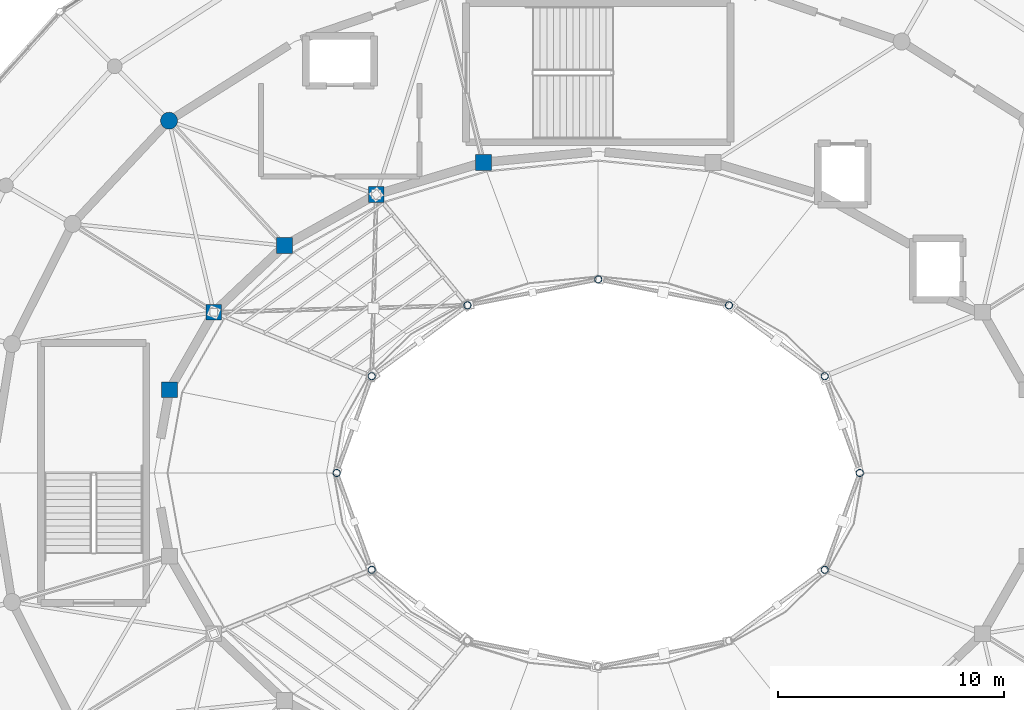
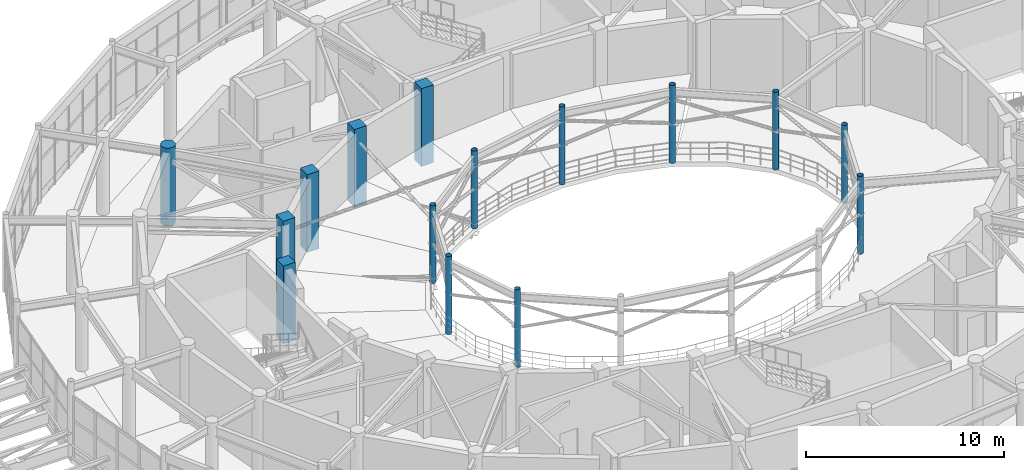
# One storey, part 11 of 144: 15 columns.
"""IFC4 building model written with IfcOpenShell, lengths in metres."""

from ifc_helpers import new_model, si_unit, direction, frame, origin, origin_2d, place, context, subcontext, project, spatial, rectangle, circle, hollow_circle, extrude, material, material_profile, profile_set, type_object, element, save


model = new_model("IFC4")

# Units and contexts
model_context = context("Model", 3, precision=1e-05, world=origin(), true_north=direction((0.0, 1.0)))
body_context = subcontext(model_context, "Body", "Model", "MODEL_VIEW")
ifc_project = project(units=[si_unit("LENGTHUNIT", "METRE"), si_unit("AREAUNIT", "SQUARE_METRE"), si_unit("VOLUMEUNIT", "CUBIC_METRE"), si_unit("PLANEANGLEUNIT", "RADIAN"), si_unit("MASSUNIT", "GRAM", prefix="KILO")], contexts=[model_context])

# Site, building, storey
site_placement = place(None, origin())
site = spatial("IfcSite", under=ifc_project, at=site_placement, CompositionType="ELEMENT")
building_placement = place(site_placement, origin())
building = spatial("IfcBuilding", under=site, at=building_placement, Name="Cinderbank Siding Concert Hall", CompositionType="ELEMENT")
storey_placement = place(building_placement, frame((0.0, 0.0, 5.39990234375)))
storey = spatial("IfcBuildingStorey", under=building, at=storey_placement, Name="L02", CompositionType="ELEMENT", Elevation=5.39990234375)

# Columns
ifc_material_1 = material(Name="Structural steel hollow section AS/NZS 1163 Grade C350L0 (350 MPa)", Category="steel")
ifc_material_profile_1 = material_profile(ifc_material_1, hollow_circle(Radius=0.161865234375, WallThickness=0.0126953125, at=origin_2d()), Name="323.9x12.7CHS", Category="LoadBearing")
ifc_profile_set_1 = profile_set([ifc_material_profile_1], Name="Structural steel hollow section AS/NZS 1163 Grade C350L0 (350 MPa)")
column_type_1 = type_object("IfcColumnType", Name="C-CHS323 323.9x12.7CHS", PredefinedType="COLUMN", material=ifc_profile_set_1)
for number, where, z_axis, x_axis, name in (
    (1, (133.550048828125, 44.0, 0.0), (0.0, 0.0, 1.0), (1.0, 0.0, 0.0), "L02 Column COL-E0-01"),
    (2, (132.0029296875, 48.27490234375, 0.0), (0.0, 0.0, 1.0), (1.0, 0.0, 0.0), "L02 Column COL-E0-03"),
    (3, (127.77490234375, 51.404052734375, 0.0), (0.0, 0.0, 1.0), (1.0, 0.0, 0.0), "L02 Column COL-E0-05"),
    (4, (122.0, 52.550048828125, 0.0), (0.0, 0.0, 1.0), (1.0, 0.0, 0.0), "L02 Column COL-E0-07"),
    (5, (116.22509765625, 51.404052734375, 0.0), (0.0, 0.0, 1.0), (1.0, 0.0, 0.0), "L02 Column COL-E0-09"),
    (6, (111.9970703125, 48.27490234375, 0.0), (0.0, 0.0, 1.0), (1.0, 0.0, 0.0), "L02 Column COL-E0-11"),
    (7, (110.449951171875, 44.0, 0.0), (0.0, 0.0, 1.0), (1.0, 0.0, 0.0), "L02 Column COL-E0-13"),
    (8, (111.9970703125, 39.72509765625, 0.0), (0.0, 0.0, 1.0), (1.0, 0.0, 0.0), "L02 Column COL-E0-15"),
    (9, (132.0029296875, 39.72509765625, 0.0), (0.0, 0.0, 1.0), (1.0, 0.0, 0.0), "L02 Column COL-E0-23"),
):
    element("IfcColumn", number, at=place(storey_placement, frame(where, z_axis=z_axis, x_axis=x_axis)), inside=storey, type_object=column_type_1, Name=name, PredefinedType="COLUMN", context=body_context, shape_type="SweptSolid", body=[
        extrude(hollow_circle(Radius=0.161865234375, WallThickness=0.0126953125, at=origin_2d()), origin(), (0.0, 0.0, 1.0), 4.800048828125),
    ])
ifc_material_2 = material(Name="Reinforced concrete AS 3600 N50 (50 MPa)", Category="concrete")
ifc_material_profile_2 = material_profile(ifc_material_2, rectangle(XDim=0.699951171875, YDim=0.699951171875, at=origin_2d()), Name="RC-COL-700x700", Category="LoadBearing")
ifc_profile_set_2 = profile_set([ifc_material_profile_2], Name="Reinforced concrete AS 3600 N50 (50 MPa)")
column_type_2 = type_object("IfcColumnType", Name="C-RC700 RC-COL-700x700", PredefinedType="COLUMN", material=ifc_profile_set_2)
for number, where, z_axis, x_axis, name in (
    (10, (116.927001953125, 57.716064453125, 0.0), (0.0, 0.0, 1.0), (1.0, 0.0, 0.0), "L02 Column COL-E1-08"),
    (11, (112.199951171875, 56.298095703125, 0.0), (0.0, 0.0, 1.0), (1.0, 0.0, 0.0), "L02 Column COL-E1-09"),
    (12, (108.14111328125, 54.041015625, 0.0), (0.0, 0.0, 1.0), (1.0, 0.0, 0.0), "L02 Column COL-E1-10"),
    (13, (105.02587890625, 51.10009765625, 0.0), (0.0, 0.0, 1.0), (1.0, 0.0, 0.0), "L02 Column COL-E1-11"),
    (14, (103.068115234375, 47.675048828125, 0.0), (0.0, 0.0, 1.0), (1.0, 0.0, 0.0), "L02 Column COL-E1-12"),
):
    element("IfcColumn", number, at=place(storey_placement, frame(where, z_axis=z_axis, x_axis=x_axis)), inside=storey, type_object=column_type_2, Name=name, PredefinedType="COLUMN", context=body_context, shape_type="SweptSolid", body=[
        extrude(rectangle(XDim=0.699951171875, YDim=0.699951171875, at=origin_2d()), origin(), (0.0, 0.0, 1.0), 4.800048828125),
    ])
ifc_material_profile_3 = material_profile(ifc_material_2, circle(Radius=0.375, at=origin_2d()), Name="RC-COL-750DIA", Category="LoadBearing")
ifc_profile_set_3 = profile_set([ifc_material_profile_3], Name="Reinforced concrete AS 3600 N50 (50 MPa)")
column_type_3 = type_object("IfcColumnType", Name="C-RCD750 RC-COL-750DIA", PredefinedType="COLUMN", material=ifc_profile_set_3)
column_placement = place(storey_placement, frame((103.049072265625, 59.555908203125, 0.0), z_axis=(0.0, 0.0, 1.0), x_axis=(1.0, 0.0, 0.0)))
element("IfcColumn", 15, at=column_placement, inside=storey, type_object=column_type_3, Name="L02 Column COL-E2-10", PredefinedType="COLUMN", context=body_context, shape_type="SweptSolid", body=[
    extrude(circle(Radius=0.375, at=origin_2d()), origin(), (0.0, 0.0, 1.0), 4.800048828125),
])

save(model, "model.ifc")
